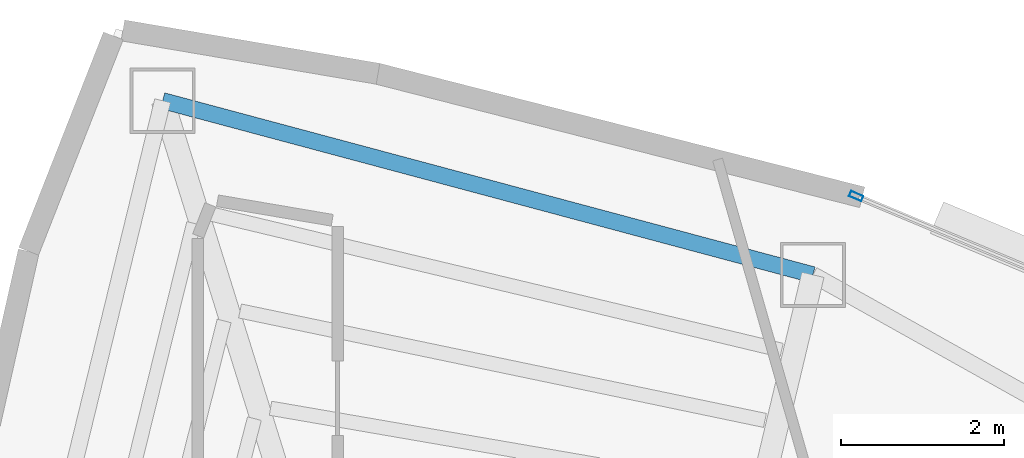
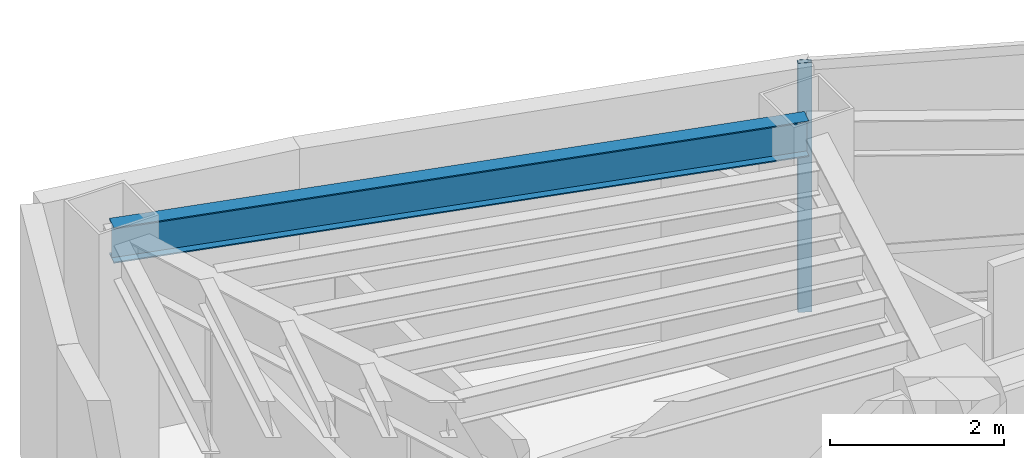
# One storey, part 9 of 15: 1 beam, 1 member, 1 element without a shape of its own.
"""IFC4 building model written with IfcOpenShell, lengths in metres."""

from ifc_helpers import new_model, si_unit, direction, frame, origin, origin_2d, place, context, subcontext, project, spatial, hollow_rectangle, i_section, extrude, material, layer, layer_set, material_profile, profile_set, type_object, element, aggregate, save


model = new_model("IFC4")

# Units and contexts
model_context = context("Model", 3, precision=1e-05, world=origin(), true_north=direction((0.0, 1.0)))
body_context = subcontext(model_context, "Body", "Model", "MODEL_VIEW")
ifc_project = project(units=[si_unit("LENGTHUNIT", "METRE"), si_unit("AREAUNIT", "SQUARE_METRE"), si_unit("VOLUMEUNIT", "CUBIC_METRE"), si_unit("PLANEANGLEUNIT", "RADIAN"), si_unit("MASSUNIT", "GRAM", prefix="KILO")], contexts=[model_context])

# Site, building, storey
site_placement = place(None, origin())
site = spatial("IfcSite", under=ifc_project, at=site_placement, CompositionType="ELEMENT")
building_placement = place(site_placement, origin())
building = spatial("IfcBuilding", under=site, at=building_placement, Name="Menara Vayukalpa", CompositionType="ELEMENT")
storey_placement = place(building_placement, frame((0.0, 0.0, 284.340087890625)))
storey = spatial("IfcBuildingStorey", under=building, at=storey_placement, Name="L72", CompositionType="ELEMENT", Elevation=284.340087890625)

# Beam
ifc_material_1 = material(Name="Steel S355", Category="steel")
ifc_material_profile_1 = material_profile(ifc_material_1, i_section(OverallWidth=0.199951171875, OverallDepth=0.5, WebThickness=0.010009765625, FlangeThickness=0.01611328125, at=origin_2d()), Name="WF 500x200x10x16")
ifc_profile_set_1 = profile_set([ifc_material_profile_1], Name="Steel S355")
beam_type = type_object("IfcBeamType", Name="BM-SP3", PredefinedType="SPANDREL", material=ifc_profile_set_1)
beam_placement = place(storey_placement, frame((23.3818359375, 32.40478515625, 3.25), z_axis=(-0.965978332552, 0.258623009494, 0.0), x_axis=(-0.258623009494, -0.965978332552, 0.0)))
element("IfcBeam", 1, at=beam_placement, inside=storey, type_object=beam_type, Name="L72 Perimeter Spandrel Beam SP03", PredefinedType="SPANDREL", context=body_context, shape_type="SweptSolid", body=[
    extrude(i_section(OverallWidth=0.199951171875, OverallDepth=0.5, WebThickness=0.010009765625, FlangeThickness=0.01611328125, at=origin_2d()), origin(), (0.0, 0.0, 1.0), 8.274169921875),
])

# Curtain wall, member
ifc_material_2 = material(Name="Anodised Terracotta Aluminium Alloy 6063-T6", Category="masonry")
ifc_layer = layer(ifc_material_2, 0.1650390625)
ifc_layer_set = layer_set([ifc_layer], Name="Anodised Terracotta Aluminium Alloy 6063-T6")
curtain_wall_type = type_object("IfcCurtainWallType", Name="CW-CW6", PredefinedType="USERDEFINED", material=ifc_layer_set)
curtain_wall_placement = place(storey_placement, origin())
curtain_wall = element("IfcCurtainWall", 2, at=curtain_wall_placement, inside=storey, type_object=curtain_wall_type, Name="L72 Observation and Executive Curtain Wall CW6 05", ObjectType="UNITISED", PredefinedType="USERDEFINED")
ifc_material_3 = material(Name="Anodised Terracotta Aluminium Alloy 6063-T6", Category="masonry")
ifc_material_profile_2 = material_profile(ifc_material_3, hollow_rectangle(XDim=0.070068359375, YDim=0.1650390625, WallThickness=0.00390625, at=origin_2d()), Name="ALU 70x165x4")
ifc_profile_set_2 = profile_set([ifc_material_profile_2], Name="Anodised Terracotta Aluminium Alloy 6063-T6")
member_type = type_object("IfcMemberType", Name="CWM-CW6", PredefinedType="MULLION", material=ifc_profile_set_2)
member_placement = place(storey_placement, frame((23.913330078125, 33.37158203125, 0.0), z_axis=(0.0, 0.0, 1.0), x_axis=(-0.385899911703, -0.922540653927, 0.0)))
member = element("IfcMember", 3, at=member_placement, type_object=member_type, Name="CW6 mullion 3", PredefinedType="MULLION", context=body_context, shape_type="SweptSolid", body=[
    extrude(hollow_rectangle(XDim=0.070068359375, YDim=0.1650390625, WallThickness=0.00390625, at=origin_2d()), origin(), (0.0, 0.0, 1.0), 3.5),
])
aggregate(curtain_wall, [member])

save(model, "model.ifc")
